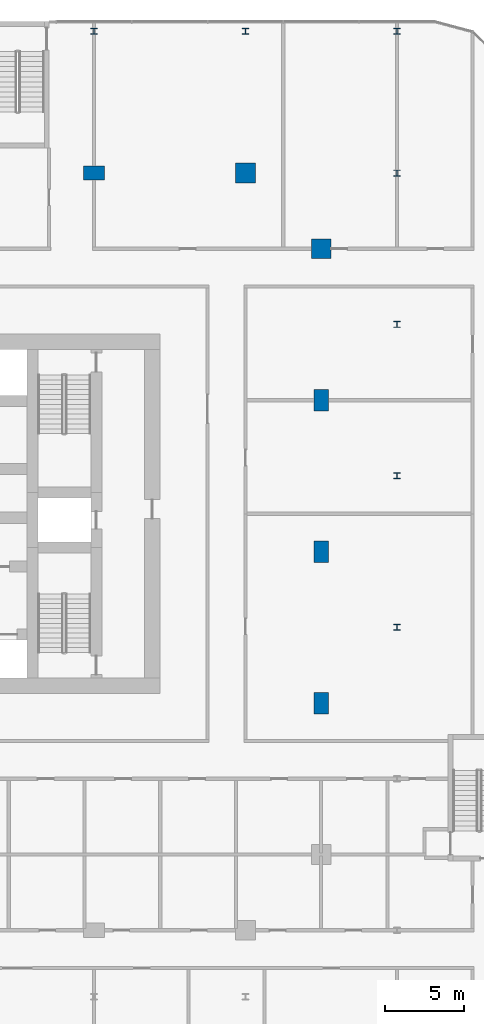
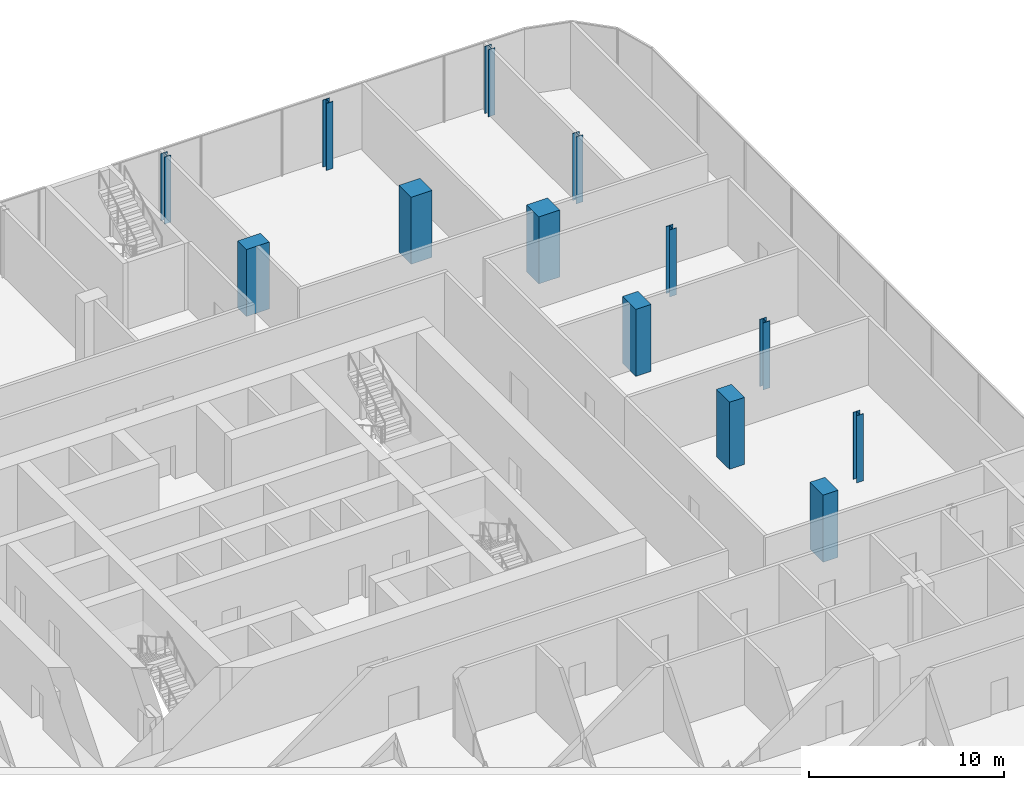
# One storey, part 5 of 45: 13 columns.
"""IFC4 building model written with IfcOpenShell, lengths in metres."""

from ifc_helpers import new_model, si_unit, direction, frame, origin, origin_2d, place, context, subcontext, project, spatial, rectangle, i_section, extrude, material, material_profile, profile_set, type_object, element, save


model = new_model("IFC4")

# Units and contexts
model_context = context("Model", 3, precision=1e-05, world=origin(), true_north=direction((0.0, 1.0)))
body_context = subcontext(model_context, "Body", "Model", "MODEL_VIEW")
ifc_project = project(units=[si_unit("LENGTHUNIT", "METRE"), si_unit("AREAUNIT", "SQUARE_METRE"), si_unit("VOLUMEUNIT", "CUBIC_METRE"), si_unit("PLANEANGLEUNIT", "RADIAN"), si_unit("MASSUNIT", "GRAM", prefix="KILO")], contexts=[model_context])

# Site, building, storey
site_placement = place(None, origin())
site = spatial("IfcSite", under=ifc_project, at=site_placement, CompositionType="ELEMENT")
building_placement = place(site_placement, origin())
building = spatial("IfcBuilding", under=site, at=building_placement, Name="Madar Terraces", CompositionType="ELEMENT")
storey_placement = place(building_placement, frame((0.0, 0.0, 6.0)))
storey = spatial("IfcBuildingStorey", under=building, at=storey_placement, Name="L01", CompositionType="ELEMENT", Elevation=6.0)

# Columns
ifc_material_1 = material(Name="Concrete C80/95", Category="concrete")
ifc_material_profile_1 = material_profile(ifc_material_1, rectangle(XDim=1.35009765625, YDim=0.89990234375, at=origin_2d()), Name="CC1 RC 1350x900")
ifc_profile_set_1 = profile_set([ifc_material_profile_1], Name="Concrete C80/95")
column_type_1 = type_object("IfcColumnType", Name="CC1 RC 1350x900", PredefinedType="COLUMN", material=ifc_profile_set_1)
for number, where, z_axis, x_axis, name in (
    (1, (57.60009765625, 14.39990234375, 0.0), (0.0, 0.0, 1.0), (0.0, 1.0, 0.0), "Perimeter column E2"),
    (2, (57.60009765625, 24.0, 0.0), (0.0, 0.0, 1.0), (0.0, 1.0, 0.0), "Perimeter column E3"),
    (3, (57.60009765625, 33.60009765625, 0.0), (0.0, 0.0, 1.0), (0.0, 1.0, 0.0), "Perimeter column E4"),
    (4, (43.199951171875, 48.0, 0.0), (0.0, 0.0, 1.0), (1.0, 0.0, 0.0), "Perimeter column N2"),
):
    element("IfcColumn", number, at=place(storey_placement, frame(where, z_axis=z_axis, x_axis=x_axis)), inside=storey, type_object=column_type_1, Name=name, PredefinedType="COLUMN", context=body_context, shape_type="SweptSolid", body=[
        extrude(rectangle(XDim=1.35009765625, YDim=0.89990234375, at=origin_2d()), origin(), (0.0, 0.0, 1.0), 4.199951171875),
    ])
ifc_material_2 = material(Name="Concrete C80/95", Category="concrete")
ifc_material_profile_2 = material_profile(ifc_material_2, rectangle(XDim=1.25, YDim=1.25, at=origin_2d()), Name="KC1 RC 1250x1250")
ifc_profile_set_2 = profile_set([ifc_material_profile_2], Name="Concrete C80/95")
column_type_2 = type_object("IfcColumnType", Name="KC1 RC 1250x1250", PredefinedType="COLUMN", material=ifc_profile_set_2)
for number, where, z_axis, x_axis, name in (
    (5, (57.60009765625, 43.199951171875, 0.0), (0.0, 0.0, 1.0), (1.0, 0.0, 0.0), "Perimeter column E5"),
    (6, (52.800048828125, 48.0, 0.0), (0.0, 0.0, 1.0), (1.0, 0.0, 0.0), "Perimeter column N1"),
):
    element("IfcColumn", number, at=place(storey_placement, frame(where, z_axis=z_axis, x_axis=x_axis)), inside=storey, type_object=column_type_2, Name=name, PredefinedType="COLUMN", context=body_context, shape_type="SweptSolid", body=[
        extrude(rectangle(XDim=1.25, YDim=1.25, at=origin_2d()), origin(), (0.0, 0.0, 1.0), 4.199951171875),
    ])
ifc_material_3 = material(Name="Steel ASTM A992 Grade 50", Category="steel")
ifc_material_profile_3 = material_profile(ifc_material_3, i_section(OverallWidth=0.396240234375, OverallDepth=0.381103515625, WebThickness=0.01904296875, FlangeThickness=0.0302734375, at=origin_2d()), Name="W14x159")
ifc_profile_set_3 = profile_set([ifc_material_profile_3], Name="Steel ASTM A992 Grade 50")
column_type_3 = type_object("IfcColumnType", Name="PC2 W14x159", PredefinedType="COLUMN", material=ifc_profile_set_3)
for number, where, z_axis, x_axis, name in (
    (7, (43.199951171875, 57.0, 0.0), (0.0, 0.0, 1.0), (1.0, 0.0, 0.0), "Podium column PC2"),
    (8, (52.800048828125, 57.0, 0.0), (0.0, 0.0, 1.0), (1.0, 0.0, 0.0), "Podium column PC2"),
    (9, (62.39990234375, 19.199951171875, 0.0), (0.0, 0.0, 1.0), (1.0, 0.0, 0.0), "Podium column PC2"),
    (10, (62.39990234375, 28.800048828125, 0.0), (0.0, 0.0, 1.0), (1.0, 0.0, 0.0), "Podium column PC2"),
    (11, (62.39990234375, 38.39990234375, 0.0), (0.0, 0.0, 1.0), (1.0, 0.0, 0.0), "Podium column PC2"),
    (12, (62.39990234375, 48.0, 0.0), (0.0, 0.0, 1.0), (1.0, 0.0, 0.0), "Podium column PC2"),
    (13, (62.39990234375, 57.0, 0.0), (0.0, 0.0, 1.0), (1.0, 0.0, 0.0), "Podium column PC2"),
):
    element("IfcColumn", number, at=place(storey_placement, frame(where, z_axis=z_axis, x_axis=x_axis)), inside=storey, type_object=column_type_3, Name=name, PredefinedType="COLUMN", context=body_context, shape_type="SweptSolid", body=[
        extrude(i_section(OverallWidth=0.396240234375, OverallDepth=0.381103515625, WebThickness=0.01904296875, FlangeThickness=0.0302734375, at=origin_2d()), origin(), (0.0, 0.0, 1.0), 4.199951171875),
    ])

save(model, "model.ifc")
